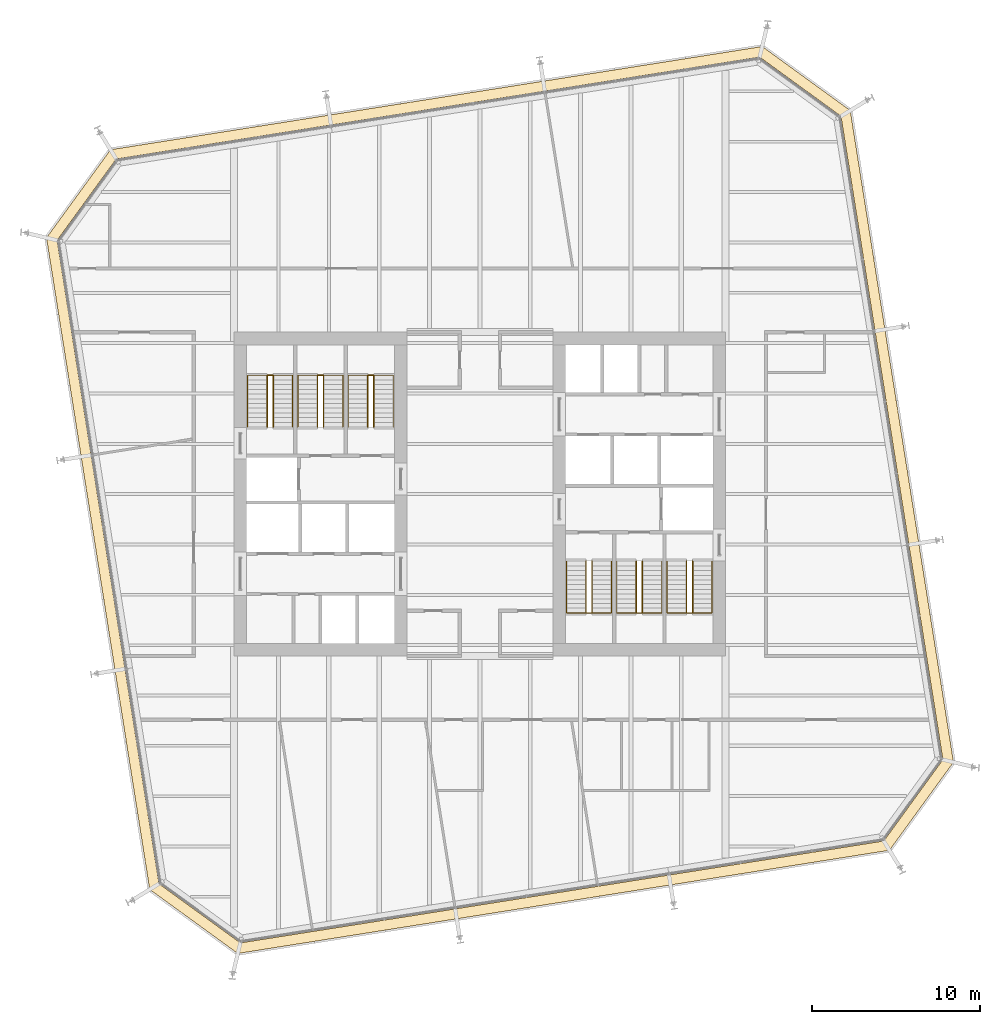
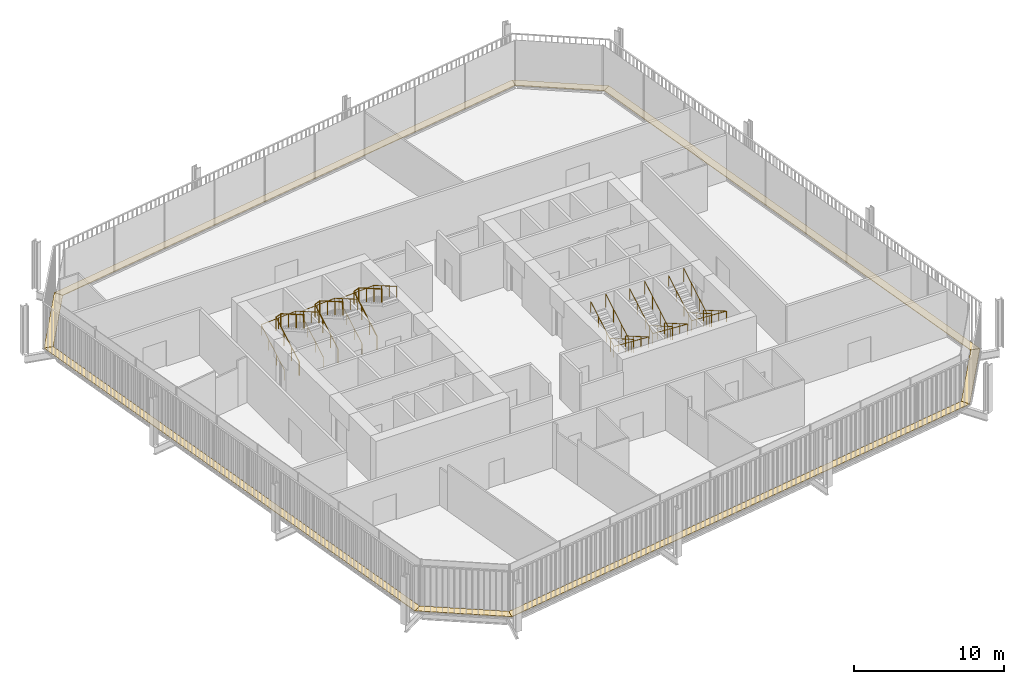
# One storey, part 21 of 21: 12 railings, 8 coverings.
"""IFC4 building model written with IfcOpenShell, lengths in metres."""

from ifc_helpers import new_model, si_unit, direction, frame, origin, origin_2d, place, context, subcontext, project, spatial, polyline, circle, outline, extrude, material, layer, layer_set, type_object, element, save


model = new_model("IFC4")

# Units and contexts
model_context = context("Model", 3, precision=1e-05, world=origin(), true_north=direction((0.0, 1.0)))
body_context = subcontext(model_context, "Body", "Model", "MODEL_VIEW")
ifc_project = project(units=[si_unit("LENGTHUNIT", "METRE"), si_unit("AREAUNIT", "SQUARE_METRE"), si_unit("VOLUMEUNIT", "CUBIC_METRE"), si_unit("PLANEANGLEUNIT", "RADIAN"), si_unit("MASSUNIT", "GRAM", prefix="KILO")], contexts=[model_context])

# Site, building, storey
site_placement = place(None, origin())
site = spatial("IfcSite", under=ifc_project, at=site_placement, CompositionType="ELEMENT")
building_placement = place(site_placement, origin())
building = spatial("IfcBuilding", under=site, at=building_placement, Name="Millrace Tower", CompositionType="ELEMENT")
storey_placement = place(building_placement, frame((0.0, 0.0, 141.199951171875)))
storey = spatial("IfcBuildingStorey", under=building, at=storey_placement, Name="L31", CompositionType="ELEMENT", Elevation=141.199951171875)

# Coverings
ifc_material_1 = material(Name="Steel ASTM A36", Category="steel")
ifc_layer = layer(ifc_material_1, 0.050048828125)
ifc_layer_set = layer_set([ifc_layer], Name="Steel ASTM A36")
covering_type = type_object("IfcCoveringType", Name="CAVITY CATWALK steel grating", PredefinedType="FLOORING", material=ifc_layer_set)
placement = place(storey_placement, frame((0.0, 0.0, 0.10009765625)))
element("IfcCovering", 1, at=placement, inside=storey, type_object=covering_type, Name="Cavity catwalk grating C-F01 L31 1", PredefinedType="FLOORING", context=body_context, shape_type="SweptSolid", body=[
    extrude(outline(polyline([(-19.67578125, -23.562255859375), (-14.425048828125, -27.376953125), (-14.2734375, -26.74560546875), (-19.1220703125, -23.222900390625), (-19.67578125, -23.562255859375)])), origin(), (0.0, 0.0, 1.0), 0.050048828125),
])
element("IfcCovering", 2, at=placement, inside=storey, type_object=covering_type, Name="Cavity catwalk grating C-F02 L31 1", PredefinedType="FLOORING", context=body_context, shape_type="SweptSolid", body=[
    extrude(outline(polyline([(-14.425048828125, -27.376953125), (24.412109375, -21.225830078125), (24.07275390625, -20.672119140625), (-14.2734375, -26.74560546875), (-14.425048828125, -27.376953125)])), origin(), (0.0, 0.0, 1.0), 0.050048828125),
])
element("IfcCovering", 3, at=placement, inside=storey, type_object=covering_type, Name="Cavity catwalk grating C-F03 L31 1", PredefinedType="FLOORING", context=body_context, shape_type="SweptSolid", body=[
    extrude(outline(polyline([(24.412109375, -21.225830078125), (28.22705078125, -15.97509765625), (27.595458984375, -15.823486328125), (24.07275390625, -20.672119140625), (24.412109375, -21.225830078125)])), origin(), (0.0, 0.0, 1.0), 0.050048828125),
])
element("IfcCovering", 4, at=placement, inside=storey, type_object=covering_type, Name="Cavity catwalk grating C-F04 L31 1", PredefinedType="FLOORING", context=body_context, shape_type="SweptSolid", body=[
    extrude(outline(polyline([(28.22705078125, -15.97509765625), (22.075927734375, 22.862060546875), (21.522216796875, 22.522705078125), (27.595458984375, -15.823486328125), (28.22705078125, -15.97509765625)])), origin(), (0.0, 0.0, 1.0), 0.050048828125),
])
element("IfcCovering", 5, at=placement, inside=storey, type_object=covering_type, Name="Cavity catwalk grating C-F05 L31 1", PredefinedType="FLOORING", context=body_context, shape_type="SweptSolid", body=[
    extrude(outline(polyline([(22.075927734375, 22.862060546875), (16.824951171875, 26.677001953125), (16.67333984375, 26.045654296875), (21.522216796875, 22.522705078125), (22.075927734375, 22.862060546875)])), origin(), (0.0, 0.0, 1.0), 0.050048828125),
])
element("IfcCovering", 6, at=placement, inside=storey, type_object=covering_type, Name="Cavity catwalk grating C-F06 L31 1", PredefinedType="FLOORING", context=body_context, shape_type="SweptSolid", body=[
    extrude(outline(polyline([(16.824951171875, 26.677001953125), (-22.01220703125, 20.52587890625), (-21.6728515625, 19.97216796875), (16.67333984375, 26.045654296875), (16.824951171875, 26.677001953125)])), origin(), (0.0, 0.0, 1.0), 0.050048828125),
])
element("IfcCovering", 7, at=placement, inside=storey, type_object=covering_type, Name="Cavity catwalk grating C-F07 L31 1", PredefinedType="FLOORING", context=body_context, shape_type="SweptSolid", body=[
    extrude(outline(polyline([(-22.01220703125, 20.52587890625), (-25.8271484375, 15.275146484375), (-25.195556640625, 15.12353515625), (-21.6728515625, 19.97216796875), (-22.01220703125, 20.52587890625)])), origin(), (0.0, 0.0, 1.0), 0.050048828125),
])
element("IfcCovering", 8, at=placement, inside=storey, type_object=covering_type, Name="Cavity catwalk grating C-F08 L31 1", PredefinedType="FLOORING", context=body_context, shape_type="SweptSolid", body=[
    extrude(outline(polyline([(-25.8271484375, 15.275146484375), (-19.67578125, -23.562255859375), (-19.1220703125, -23.222900390625), (-25.195556640625, 15.12353515625), (-25.8271484375, 15.275146484375)])), origin(), (0.0, 0.0, 1.0), 0.050048828125),
])

# Railings
ifc_material_2 = material(Name="Stainless steel ASTM A240 type 316", Category="steel")
railing_type_1 = type_object("IfcRailingType", Name="Stair guard 1100", PredefinedType="GUARDRAIL", material=ifc_material_2)
for number, where, name in (
    (9, (-12.679931640625, 4.0, 0.16259765625), "Stair guard 1 W L31"),
    (10, (-9.679931640625, 4.0, 0.16259765625), "Stair guard 2 W L31"),
    (11, (-6.679931640625, 4.0, 0.16259765625), "Stair guard 3 W L31"),
):
    element("IfcRailing", number, at=place(storey_placement, frame(where)), inside=storey, type_object=railing_type_1, Name=name, PredefinedType="GUARDRAIL", context=body_context, shape_type="SweptSolid", body=[
        extrude(circle(Radius=0.02392578125, at=origin_2d()), frame((0.0, 0.0, 1.076171875), z_axis=(0.0, 0.864920483161, 0.501908913857), x_axis=(-1.0, 0.0, 0.0)), (0.0, 0.0, 1.0), 3.56103515625),
        extrude(circle(Radius=0.02392578125, at=origin_2d()), frame((0.0, 3.080078125, 2.86328125), z_axis=(0.911295775139, 0.0, 0.411752365158), x_axis=(0.0, 1.0, 0.0)), (0.0, 0.0, 1.0), 0.394775390625),
        extrude(circle(Radius=0.02392578125, at=origin_2d()), frame((0.35986328125, 3.080078125, 3.02587890625), z_axis=(0.0, -0.864890721111, 0.501960198159), x_axis=(1.0, 0.0, 0.0)), (0.0, 0.0, 1.0), 3.561279296875),
        extrude(circle(Radius=0.02099609375, at=origin_2d()), origin(), (0.0, 0.0, 1.0), 1.052001953125),
        extrude(circle(Radius=0.02099609375, at=origin_2d()), frame((0.0, 1.026611328125, 0.595703125)), (0.0, 0.0, 1.0), 1.052001953125),
        extrude(circle(Radius=0.02099609375, at=origin_2d()), frame((0.0, 2.053466796875, 1.191650390625)), (0.0, 0.0, 1.0), 1.052001953125),
        extrude(circle(Radius=0.02099609375, at=origin_2d()), frame((0.0, 3.080078125, 1.787353515625)), (0.0, 0.0, 1.0), 1.052001953125),
        extrude(circle(Radius=0.02099609375, at=origin_2d()), frame((0.35986328125, 3.080078125, 1.949951171875)), (0.0, 0.0, 1.0), 1.052001953125),
        extrude(circle(Radius=0.02099609375, at=origin_2d()), frame((0.35986328125, 2.053466796875, 2.5458984375)), (0.0, 0.0, 1.0), 1.052001953125),
        extrude(circle(Radius=0.02099609375, at=origin_2d()), frame((0.35986328125, 1.026611328125, 3.1416015625)), (0.0, 0.0, 1.0), 1.052001953125),
        extrude(circle(Radius=0.02099609375, at=origin_2d()), frame((0.35986328125, 0.0, 3.737548828125)), (0.0, 0.0, 1.0), 1.052001953125),
    ])
for number, where, name in (
    (12, (12.679931640625, -4.0, 0.16259765625), "Stair guard 1 E L31"),
    (13, (9.679931640625, -4.0, 0.16259765625), "Stair guard 2 E L31"),
    (14, (6.679931640625, -4.0, 0.16259765625), "Stair guard 3 E L31"),
):
    element("IfcRailing", number, at=place(storey_placement, frame(where)), inside=storey, type_object=railing_type_1, Name=name, PredefinedType="GUARDRAIL", context=body_context, shape_type="SweptSolid", body=[
        extrude(circle(Radius=0.02392578125, at=origin_2d()), frame((0.0, 0.0, 1.076171875), z_axis=(0.0, -0.864920483161, 0.501908913857), x_axis=(1.0, 0.0, 0.0)), (0.0, 0.0, 1.0), 3.56103515625),
        extrude(circle(Radius=0.02392578125, at=origin_2d()), frame((0.0, -3.080078125, 2.86328125), z_axis=(-0.911295775139, 0.0, 0.411752365158), x_axis=(0.0, -1.0, 0.0)), (0.0, 0.0, 1.0), 0.394775390625),
        extrude(circle(Radius=0.02392578125, at=origin_2d()), frame((-0.35986328125, -3.080078125, 3.02587890625), z_axis=(0.0, 0.864890721111, 0.501960198159), x_axis=(-1.0, 0.0, 0.0)), (0.0, 0.0, 1.0), 3.561279296875),
        extrude(circle(Radius=0.02099609375, at=origin_2d()), origin(), (0.0, 0.0, 1.0), 1.052001953125),
        extrude(circle(Radius=0.02099609375, at=origin_2d()), frame((0.0, -1.026611328125, 0.595703125)), (0.0, 0.0, 1.0), 1.052001953125),
        extrude(circle(Radius=0.02099609375, at=origin_2d()), frame((0.0, -2.053466796875, 1.191650390625)), (0.0, 0.0, 1.0), 1.052001953125),
        extrude(circle(Radius=0.02099609375, at=origin_2d()), frame((0.0, -3.080078125, 1.787353515625)), (0.0, 0.0, 1.0), 1.052001953125),
        extrude(circle(Radius=0.02099609375, at=origin_2d()), frame((-0.35986328125, -3.080078125, 1.949951171875)), (0.0, 0.0, 1.0), 1.052001953125),
        extrude(circle(Radius=0.02099609375, at=origin_2d()), frame((-0.35986328125, -2.053466796875, 2.5458984375)), (0.0, 0.0, 1.0), 1.052001953125),
        extrude(circle(Radius=0.02099609375, at=origin_2d()), frame((-0.35986328125, -1.026611328125, 3.1416015625)), (0.0, 0.0, 1.0), 1.052001953125),
        extrude(circle(Radius=0.02099609375, at=origin_2d()), frame((-0.35986328125, 0.0, 3.737548828125)), (0.0, 0.0, 1.0), 1.052001953125),
    ])
ifc_material_3 = material(Name="Stainless steel ASTM A240 type 316", Category="steel")
railing_type_2 = type_object("IfcRailingType", Name="Stair handrail 900", PredefinedType="HANDRAIL", material=ifc_material_3)
railing_1_placement = place(storey_placement, frame((-13.840087890625, 4.0, 0.16259765625)))
element("IfcRailing", 15, at=railing_1_placement, inside=storey, type_object=railing_type_2, Name="Stair handrail 1 W L31", PredefinedType="HANDRAIL", context=body_context, shape_type="SweptSolid", body=[
    extrude(circle(Radius=0.02392578125, at=origin_2d()), frame((0.0, 0.0, 0.8759765625), z_axis=(0.0, 0.864920483161, 0.501908913857), x_axis=(-1.0, 0.0, 0.0)), (0.0, 0.0, 1.0), 3.56103515625),
    extrude(circle(Radius=0.02392578125, at=origin_2d()), frame((0.0, 3.080078125, 2.6630859375), z_axis=(0.998164834547, 0.0, 0.060555454528), x_axis=(0.0, 1.0, 0.0)), (0.0, 0.0, 1.0), 2.68505859375),
    extrude(circle(Radius=0.02392578125, at=origin_2d()), frame((2.68017578125, 3.080078125, 2.82568359375), z_axis=(0.0, -0.864890721111, 0.501960198159), x_axis=(1.0, 0.0, 0.0)), (0.0, 0.0, 1.0), 3.561279296875),
    extrude(circle(Radius=0.02099609375, at=origin_2d()), origin(), (0.0, 0.0, 1.0), 0.851806640625),
    extrude(circle(Radius=0.02099609375, at=origin_2d()), frame((0.0, 1.026611328125, 0.595703125)), (0.0, 0.0, 1.0), 0.851806640625),
    extrude(circle(Radius=0.02099609375, at=origin_2d()), frame((0.0, 2.053466796875, 1.191650390625)), (0.0, 0.0, 1.0), 0.851806640625),
    extrude(circle(Radius=0.02099609375, at=origin_2d()), frame((0.0, 3.080078125, 1.787353515625)), (0.0, 0.0, 1.0), 0.851806640625),
    extrude(circle(Radius=0.02099609375, at=origin_2d()), frame((1.340087890625, 3.080078125, 1.86865234375)), (0.0, 0.0, 1.0), 0.851806640625),
    extrude(circle(Radius=0.02099609375, at=origin_2d()), frame((2.68017578125, 3.080078125, 1.949951171875)), (0.0, 0.0, 1.0), 0.851806640625),
    extrude(circle(Radius=0.02099609375, at=origin_2d()), frame((2.68017578125, 2.053466796875, 2.5458984375)), (0.0, 0.0, 1.0), 0.851806640625),
    extrude(circle(Radius=0.02099609375, at=origin_2d()), frame((2.68017578125, 1.026611328125, 3.1416015625)), (0.0, 0.0, 1.0), 0.851806640625),
    extrude(circle(Radius=0.02099609375, at=origin_2d()), frame((2.68017578125, 0.0, 3.737548828125)), (0.0, 0.0, 1.0), 0.851806640625),
])
railing_2_placement = place(storey_placement, frame((-10.840087890625, 4.0, 0.16259765625)))
element("IfcRailing", 16, at=railing_2_placement, inside=storey, type_object=railing_type_2, Name="Stair handrail 2 W L31", PredefinedType="HANDRAIL", context=body_context, shape_type="SweptSolid", body=[
    extrude(circle(Radius=0.02392578125, at=origin_2d()), frame((0.0, 0.0, 0.8759765625), z_axis=(0.0, 0.864920483161, 0.501908913857), x_axis=(-1.0, 0.0, 0.0)), (0.0, 0.0, 1.0), 3.56103515625),
    extrude(circle(Radius=0.02392578125, at=origin_2d()), frame((0.0, 3.080078125, 2.6630859375), z_axis=(0.998164834547, 0.0, 0.060555454528), x_axis=(0.0, 1.0, 0.0)), (0.0, 0.0, 1.0), 2.68505859375),
    extrude(circle(Radius=0.02392578125, at=origin_2d()), frame((2.68017578125, 3.080078125, 2.82568359375), z_axis=(0.0, -0.864890721111, 0.501960198159), x_axis=(1.0, 0.0, 0.0)), (0.0, 0.0, 1.0), 3.561279296875),
    extrude(circle(Radius=0.02099609375, at=origin_2d()), origin(), (0.0, 0.0, 1.0), 0.851806640625),
    extrude(circle(Radius=0.02099609375, at=origin_2d()), frame((0.0, 1.026611328125, 0.595703125)), (0.0, 0.0, 1.0), 0.851806640625),
    extrude(circle(Radius=0.02099609375, at=origin_2d()), frame((0.0, 2.053466796875, 1.191650390625)), (0.0, 0.0, 1.0), 0.851806640625),
    extrude(circle(Radius=0.02099609375, at=origin_2d()), frame((0.0, 3.080078125, 1.787353515625)), (0.0, 0.0, 1.0), 0.851806640625),
    extrude(circle(Radius=0.02099609375, at=origin_2d()), frame((1.340087890625, 3.080078125, 1.86865234375)), (0.0, 0.0, 1.0), 0.851806640625),
    extrude(circle(Radius=0.02099609375, at=origin_2d()), frame((2.68017578125, 3.080078125, 1.949951171875)), (0.0, 0.0, 1.0), 0.851806640625),
    extrude(circle(Radius=0.02099609375, at=origin_2d()), frame((2.68017578125, 2.053466796875, 2.5458984375)), (0.0, 0.0, 1.0), 0.851806640625),
    extrude(circle(Radius=0.02099609375, at=origin_2d()), frame((2.68017578125, 1.026611328125, 3.1416015625)), (0.0, 0.0, 1.0), 0.851806640625),
    extrude(circle(Radius=0.02099609375, at=origin_2d()), frame((2.68017578125, 0.0, 3.737548828125)), (0.0, 0.0, 1.0), 0.851806640625),
])
railing_3_placement = place(storey_placement, frame((-7.840087890625, 4.0, 0.16259765625)))
element("IfcRailing", 17, at=railing_3_placement, inside=storey, type_object=railing_type_2, Name="Stair handrail 3 W L31", PredefinedType="HANDRAIL", context=body_context, shape_type="SweptSolid", body=[
    extrude(circle(Radius=0.02392578125, at=origin_2d()), frame((0.0, 0.0, 0.8759765625), z_axis=(0.0, 0.864920483161, 0.501908913857), x_axis=(-1.0, 0.0, 0.0)), (0.0, 0.0, 1.0), 3.56103515625),
    extrude(circle(Radius=0.02392578125, at=origin_2d()), frame((0.0, 3.080078125, 2.6630859375), z_axis=(0.998164834547, 0.0, 0.060555454528), x_axis=(0.0, 1.0, 0.0)), (0.0, 0.0, 1.0), 2.68505859375),
    extrude(circle(Radius=0.02392578125, at=origin_2d()), frame((2.68017578125, 3.080078125, 2.82568359375), z_axis=(0.0, -0.864890721111, 0.501960198159), x_axis=(1.0, 0.0, 0.0)), (0.0, 0.0, 1.0), 3.561279296875),
    extrude(circle(Radius=0.02099609375, at=origin_2d()), origin(), (0.0, 0.0, 1.0), 0.851806640625),
    extrude(circle(Radius=0.02099609375, at=origin_2d()), frame((0.0, 1.026611328125, 0.595703125)), (0.0, 0.0, 1.0), 0.851806640625),
    extrude(circle(Radius=0.02099609375, at=origin_2d()), frame((0.0, 2.053466796875, 1.191650390625)), (0.0, 0.0, 1.0), 0.851806640625),
    extrude(circle(Radius=0.02099609375, at=origin_2d()), frame((0.0, 3.080078125, 1.787353515625)), (0.0, 0.0, 1.0), 0.851806640625),
    extrude(circle(Radius=0.02099609375, at=origin_2d()), frame((1.340087890625, 3.080078125, 1.86865234375)), (0.0, 0.0, 1.0), 0.851806640625),
    extrude(circle(Radius=0.02099609375, at=origin_2d()), frame((2.68017578125, 3.080078125, 1.949951171875)), (0.0, 0.0, 1.0), 0.851806640625),
    extrude(circle(Radius=0.02099609375, at=origin_2d()), frame((2.68017578125, 2.053466796875, 2.5458984375)), (0.0, 0.0, 1.0), 0.851806640625),
    extrude(circle(Radius=0.02099609375, at=origin_2d()), frame((2.68017578125, 1.026611328125, 3.1416015625)), (0.0, 0.0, 1.0), 0.851806640625),
    extrude(circle(Radius=0.02099609375, at=origin_2d()), frame((2.68017578125, 0.0, 3.737548828125)), (0.0, 0.0, 1.0), 0.851806640625),
])
railing_4_placement = place(storey_placement, frame((13.840087890625, -4.0, 0.16259765625)))
element("IfcRailing", 18, at=railing_4_placement, inside=storey, type_object=railing_type_2, Name="Stair handrail 1 E L31", PredefinedType="HANDRAIL", context=body_context, shape_type="SweptSolid", body=[
    extrude(circle(Radius=0.02392578125, at=origin_2d()), frame((0.0, 0.0, 0.8759765625), z_axis=(0.0, -0.864920483161, 0.501908913857), x_axis=(1.0, 0.0, 0.0)), (0.0, 0.0, 1.0), 3.56103515625),
    extrude(circle(Radius=0.02392578125, at=origin_2d()), frame((0.0, -3.080078125, 2.6630859375), z_axis=(-0.998164834547, 0.0, 0.060555454528), x_axis=(0.0, -1.0, 0.0)), (0.0, 0.0, 1.0), 2.68505859375),
    extrude(circle(Radius=0.02392578125, at=origin_2d()), frame((-2.68017578125, -3.080078125, 2.82568359375), z_axis=(0.0, 0.864890721111, 0.501960198159), x_axis=(-1.0, 0.0, 0.0)), (0.0, 0.0, 1.0), 3.561279296875),
    extrude(circle(Radius=0.02099609375, at=origin_2d()), origin(), (0.0, 0.0, 1.0), 0.851806640625),
    extrude(circle(Radius=0.02099609375, at=origin_2d()), frame((0.0, -1.026611328125, 0.595703125)), (0.0, 0.0, 1.0), 0.851806640625),
    extrude(circle(Radius=0.02099609375, at=origin_2d()), frame((0.0, -2.053466796875, 1.191650390625)), (0.0, 0.0, 1.0), 0.851806640625),
    extrude(circle(Radius=0.02099609375, at=origin_2d()), frame((0.0, -3.080078125, 1.787353515625)), (0.0, 0.0, 1.0), 0.851806640625),
    extrude(circle(Radius=0.02099609375, at=origin_2d()), frame((-1.340087890625, -3.080078125, 1.86865234375)), (0.0, 0.0, 1.0), 0.851806640625),
    extrude(circle(Radius=0.02099609375, at=origin_2d()), frame((-2.68017578125, -3.080078125, 1.949951171875)), (0.0, 0.0, 1.0), 0.851806640625),
    extrude(circle(Radius=0.02099609375, at=origin_2d()), frame((-2.68017578125, -2.053466796875, 2.5458984375)), (0.0, 0.0, 1.0), 0.851806640625),
    extrude(circle(Radius=0.02099609375, at=origin_2d()), frame((-2.68017578125, -1.026611328125, 3.1416015625)), (0.0, 0.0, 1.0), 0.851806640625),
    extrude(circle(Radius=0.02099609375, at=origin_2d()), frame((-2.68017578125, 0.0, 3.737548828125)), (0.0, 0.0, 1.0), 0.851806640625),
])
railing_5_placement = place(storey_placement, frame((10.840087890625, -4.0, 0.16259765625)))
element("IfcRailing", 19, at=railing_5_placement, inside=storey, type_object=railing_type_2, Name="Stair handrail 2 E L31", PredefinedType="HANDRAIL", context=body_context, shape_type="SweptSolid", body=[
    extrude(circle(Radius=0.02392578125, at=origin_2d()), frame((0.0, 0.0, 0.8759765625), z_axis=(0.0, -0.864920483161, 0.501908913857), x_axis=(1.0, 0.0, 0.0)), (0.0, 0.0, 1.0), 3.56103515625),
    extrude(circle(Radius=0.02392578125, at=origin_2d()), frame((0.0, -3.080078125, 2.6630859375), z_axis=(-0.998164834547, 0.0, 0.060555454528), x_axis=(0.0, -1.0, 0.0)), (0.0, 0.0, 1.0), 2.68505859375),
    extrude(circle(Radius=0.02392578125, at=origin_2d()), frame((-2.68017578125, -3.080078125, 2.82568359375), z_axis=(0.0, 0.864890721111, 0.501960198159), x_axis=(-1.0, 0.0, 0.0)), (0.0, 0.0, 1.0), 3.561279296875),
    extrude(circle(Radius=0.02099609375, at=origin_2d()), origin(), (0.0, 0.0, 1.0), 0.851806640625),
    extrude(circle(Radius=0.02099609375, at=origin_2d()), frame((0.0, -1.026611328125, 0.595703125)), (0.0, 0.0, 1.0), 0.851806640625),
    extrude(circle(Radius=0.02099609375, at=origin_2d()), frame((0.0, -2.053466796875, 1.191650390625)), (0.0, 0.0, 1.0), 0.851806640625),
    extrude(circle(Radius=0.02099609375, at=origin_2d()), frame((0.0, -3.080078125, 1.787353515625)), (0.0, 0.0, 1.0), 0.851806640625),
    extrude(circle(Radius=0.02099609375, at=origin_2d()), frame((-1.340087890625, -3.080078125, 1.86865234375)), (0.0, 0.0, 1.0), 0.851806640625),
    extrude(circle(Radius=0.02099609375, at=origin_2d()), frame((-2.68017578125, -3.080078125, 1.949951171875)), (0.0, 0.0, 1.0), 0.851806640625),
    extrude(circle(Radius=0.02099609375, at=origin_2d()), frame((-2.68017578125, -2.053466796875, 2.5458984375)), (0.0, 0.0, 1.0), 0.851806640625),
    extrude(circle(Radius=0.02099609375, at=origin_2d()), frame((-2.68017578125, -1.026611328125, 3.1416015625)), (0.0, 0.0, 1.0), 0.851806640625),
    extrude(circle(Radius=0.02099609375, at=origin_2d()), frame((-2.68017578125, 0.0, 3.737548828125)), (0.0, 0.0, 1.0), 0.851806640625),
])
railing_6_placement = place(storey_placement, frame((7.840087890625, -4.0, 0.16259765625)))
element("IfcRailing", 20, at=railing_6_placement, inside=storey, type_object=railing_type_2, Name="Stair handrail 3 E L31", PredefinedType="HANDRAIL", context=body_context, shape_type="SweptSolid", body=[
    extrude(circle(Radius=0.02392578125, at=origin_2d()), frame((0.0, 0.0, 0.8759765625), z_axis=(0.0, -0.864920483161, 0.501908913857), x_axis=(1.0, 0.0, 0.0)), (0.0, 0.0, 1.0), 3.56103515625),
    extrude(circle(Radius=0.02392578125, at=origin_2d()), frame((0.0, -3.080078125, 2.6630859375), z_axis=(-0.998164834547, 0.0, 0.060555454528), x_axis=(0.0, -1.0, 0.0)), (0.0, 0.0, 1.0), 2.68505859375),
    extrude(circle(Radius=0.02392578125, at=origin_2d()), frame((-2.68017578125, -3.080078125, 2.82568359375), z_axis=(0.0, 0.864890721111, 0.501960198159), x_axis=(-1.0, 0.0, 0.0)), (0.0, 0.0, 1.0), 3.561279296875),
    extrude(circle(Radius=0.02099609375, at=origin_2d()), origin(), (0.0, 0.0, 1.0), 0.851806640625),
    extrude(circle(Radius=0.02099609375, at=origin_2d()), frame((0.0, -1.026611328125, 0.595703125)), (0.0, 0.0, 1.0), 0.851806640625),
    extrude(circle(Radius=0.02099609375, at=origin_2d()), frame((0.0, -2.053466796875, 1.191650390625)), (0.0, 0.0, 1.0), 0.851806640625),
    extrude(circle(Radius=0.02099609375, at=origin_2d()), frame((0.0, -3.080078125, 1.787353515625)), (0.0, 0.0, 1.0), 0.851806640625),
    extrude(circle(Radius=0.02099609375, at=origin_2d()), frame((-1.340087890625, -3.080078125, 1.86865234375)), (0.0, 0.0, 1.0), 0.851806640625),
    extrude(circle(Radius=0.02099609375, at=origin_2d()), frame((-2.68017578125, -3.080078125, 1.949951171875)), (0.0, 0.0, 1.0), 0.851806640625),
    extrude(circle(Radius=0.02099609375, at=origin_2d()), frame((-2.68017578125, -2.053466796875, 2.5458984375)), (0.0, 0.0, 1.0), 0.851806640625),
    extrude(circle(Radius=0.02099609375, at=origin_2d()), frame((-2.68017578125, -1.026611328125, 3.1416015625)), (0.0, 0.0, 1.0), 0.851806640625),
    extrude(circle(Radius=0.02099609375, at=origin_2d()), frame((-2.68017578125, 0.0, 3.737548828125)), (0.0, 0.0, 1.0), 0.851806640625),
])

save(model, "model.ifc")
